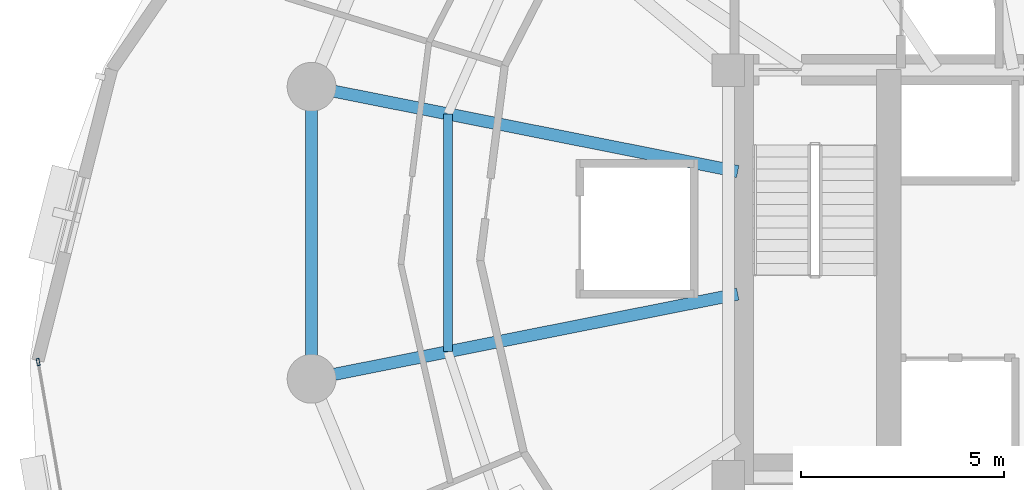
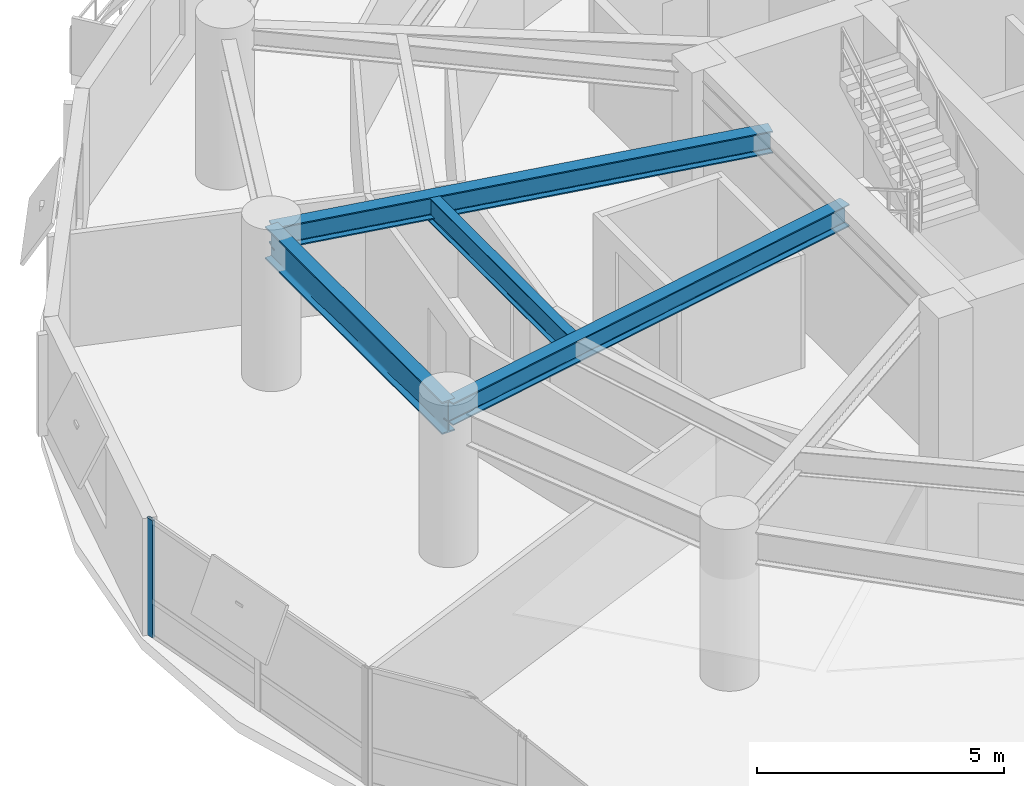
# One storey, part 4 of 14: 4 beams, 1 member, 1 element without a shape of its own.
"""IFC4 building model written with IfcOpenShell, lengths in metres."""

from ifc_helpers import new_model, si_unit, direction, frame, origin, origin_2d, place, context, subcontext, project, spatial, hollow_rectangle, i_section, extrude, material, layer, layer_set, material_profile, profile_set, type_object, element, aggregate, save


model = new_model("IFC4")

# Units and contexts
model_context = context("Model", 3, precision=1e-05, world=origin(), true_north=direction((0.0, 1.0)))
body_context = subcontext(model_context, "Body", "Model", "MODEL_VIEW")
ifc_project = project(units=[si_unit("LENGTHUNIT", "METRE"), si_unit("AREAUNIT", "SQUARE_METRE"), si_unit("VOLUMEUNIT", "CUBIC_METRE"), si_unit("PLANEANGLEUNIT", "RADIAN"), si_unit("MASSUNIT", "GRAM", prefix="KILO"), si_unit("THERMODYNAMICTEMPERATUREUNIT", "KELVIN"), si_unit("POWERUNIT", "WATT")], contexts=[model_context])

# Site, building, storey
site_placement = place(None, origin())
site = spatial("IfcSite", under=ifc_project, at=site_placement, CompositionType="ELEMENT")
building_placement = place(site_placement, origin())
building = spatial("IfcBuilding", under=site, at=building_placement, Name="Ocrelia Relay Tower", CompositionType="ELEMENT")
storey_placement = place(building_placement, frame((0.0, 0.0, 129.800048828125)))
storey = spatial("IfcBuildingStorey", under=building, at=storey_placement, Name="L30", CompositionType="ELEMENT", Elevation=129.800048828125)

# Beams
ifc_material_1 = material(Name="Steel S355", Category="steel")
ifc_material_profile_1 = material_profile(ifc_material_1, i_section(OverallWidth=0.300048828125, OverallDepth=0.550048828125, WebThickness=0.014892578125, FlangeThickness=0.029052734375, FilletRadius=0.027099609375, at=origin_2d()), Name="HEB 550")
ifc_profile_set_1 = profile_set([ifc_material_profile_1], Name="Steel S355")
beam_type_1 = type_object("IfcBeamType", Name="BM-HEB550", PredefinedType="BEAM", material=ifc_profile_set_1)
for number, where, z_axis, x_axis, name in (
    (1, (15.95361328125, 29.589599609375, 3.445068359375), (0.980787592082, -0.195078700063, 0.0), (0.195078700063, 0.980787592082, 0.0), "L30 Radial Floor Girder R08"),
    (2, (15.95361328125, 22.410400390625, 3.445068359375), (0.980787592082, 0.195078700063, 0.0), (-0.195078700063, 0.980787592082, 0.0), "L30 Radial Floor Girder R09"),
):
    element("IfcBeam", number, at=place(storey_placement, frame(where, z_axis=z_axis, x_axis=x_axis)), inside=storey, type_object=beam_type_1, Name=name, PredefinedType="BEAM", context=body_context, shape_type="SweptSolid", body=[
        extrude(i_section(OverallWidth=0.300048828125, OverallDepth=0.550048828125, WebThickness=0.014892578125, FlangeThickness=0.029052734375, FilletRadius=0.027099609375, at=origin_2d()), origin(), (0.0, 0.0, 1.0), 10.681640625),
    ])
ifc_material_profile_2 = material_profile(ifc_material_1, i_section(OverallWidth=0.300048828125, OverallDepth=0.800048828125, WebThickness=0.017578125, FlangeThickness=0.032958984375, FilletRadius=0.030029296875, at=origin_2d()), Name="HEB 800")
ifc_profile_set_2 = profile_set([ifc_material_profile_2], Name="Steel S355")
beam_type_2 = type_object("IfcBeamType", Name="BM-HEB800", PredefinedType="BEAM", material=ifc_profile_set_2)
beam_1_placement = place(storey_placement, frame((15.95361328125, 29.589599609375, 3.320068359375), z_axis=(0.0, -1.0, 0.0), x_axis=(1.0, 0.0, 0.0)))
element("IfcBeam", 3, at=beam_1_placement, inside=storey, type_object=beam_type_2, Name="L30 Perimeter Spandrel Beam S08", PredefinedType="BEAM", context=body_context, shape_type="SweptSolid", body=[
    extrude(i_section(OverallWidth=0.300048828125, OverallDepth=0.800048828125, WebThickness=0.017578125, FlangeThickness=0.032958984375, FilletRadius=0.030029296875, at=origin_2d()), origin(), (0.0, 0.0, 1.0), 7.17919921875),
])
ifc_material_profile_3 = material_profile(ifc_material_1, i_section(OverallWidth=0.219970703125, OverallDepth=0.60009765625, WebThickness=0.011962890625, FlangeThickness=0.01904296875, FilletRadius=0.02392578125, at=origin_2d()), Name="IPE 600")
ifc_profile_set_3 = profile_set([ifc_material_profile_3], Name="Steel S355")
beam_type_3 = type_object("IfcBeamType", Name="BM-IPE600", PredefinedType="JOIST", material=ifc_profile_set_3)
beam_2_placement = place(storey_placement, frame((19.305908203125, 28.9228515625, 3.419921875), z_axis=(0.0, -1.0, 0.0), x_axis=(1.0, 0.0, 0.0)))
element("IfcBeam", 4, at=beam_2_placement, inside=storey, type_object=beam_type_3, Name="L30 Secondary Floor Joist J08", PredefinedType="JOIST", context=body_context, shape_type="SweptSolid", body=[
    extrude(i_section(OverallWidth=0.219970703125, OverallDepth=0.60009765625, WebThickness=0.011962890625, FlangeThickness=0.01904296875, FilletRadius=0.02392578125, at=origin_2d()), origin(), (0.0, 0.0, 1.0), 5.845703125),
])

# Curtain wall, member
ifc_material_2 = material(Name="Aluminium and solar-control low-E glass", Category="aluminium")
ifc_layer = layer(ifc_material_2, 0.179931640625, Name="Aluminium and solar-control low-E glass")
ifc_layer_set = layer_set([ifc_layer], Name="Aluminium and solar-control low-E glass")
curtain_wall_type = type_object("IfcCurtainWallType", Name="CW-SYS-Z2-SWIT", PredefinedType="NOTDEFINED", material=ifc_layer_set)
curtain_wall_placement = place(storey_placement, origin())
curtain_wall = element("IfcCurtainWall", 5, at=curtain_wall_placement, inside=storey, type_object=curtain_wall_type, Name="L30 Elliptical Tower Curtain Wall Bay 09", PredefinedType="NOTDEFINED")
ifc_material_3 = material(Name="Anodised bronze aluminium", Category="aluminium")
ifc_material_profile_4 = material_profile(ifc_material_3, hollow_rectangle(XDim=0.070068359375, YDim=0.179931640625, WallThickness=0.006103515625, at=origin_2d()), Name="CW-MUL-180x70")
ifc_profile_set_4 = profile_set([ifc_material_profile_4], Name="Anodised bronze aluminium")
member_type = type_object("IfcMemberType", Name="CW-SYS-Z2-SWIT-MUL", PredefinedType="MULLION", material=ifc_profile_set_4)
member_placement = place(storey_placement, frame((9.231689453125, 22.8232421875, 0.0), z_axis=(0.0, 0.0, 1.0), x_axis=(0.985317086306, 0.170734411981, 0.0)))
member = element("IfcMember", 6, at=member_placement, type_object=member_type, Name="CW-Z2 mullion 1", PredefinedType="MULLION", context=body_context, shape_type="SweptSolid", body=[
    extrude(hollow_rectangle(XDim=0.070068359375, YDim=0.179931640625, WallThickness=0.006103515625, at=origin_2d()), origin(), (0.0, 0.0, 1.0), 2.89990234375),
])
aggregate(curtain_wall, [member])

save(model, "model.ifc")
